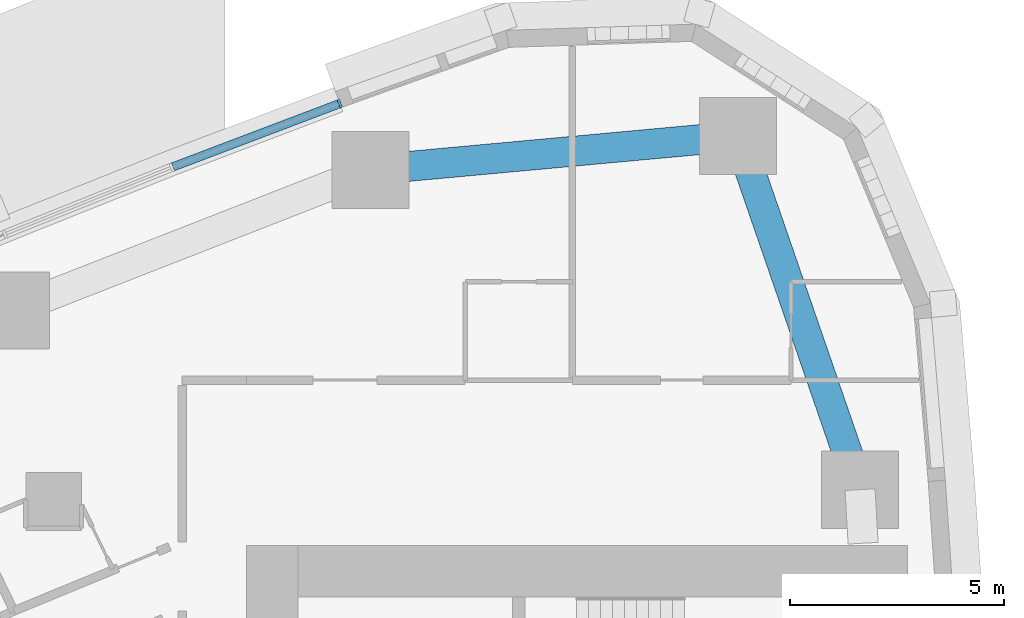
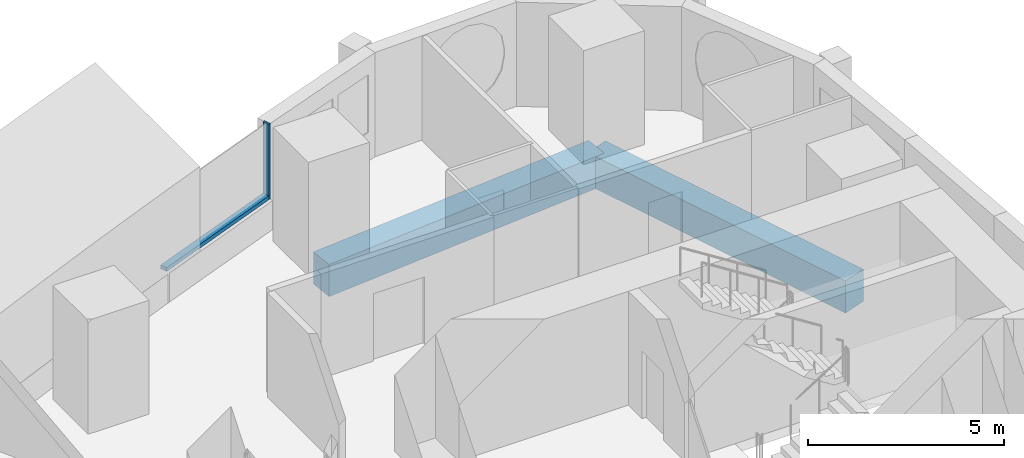
# One storey, part 7 of 19: 2 beams, 2 members, 1 element without a shape of its own.
"""IFC4 building model written with IfcOpenShell, lengths in metres."""

from ifc_helpers import new_model, si_unit, direction, frame, origin, origin_2d, place, context, subcontext, project, spatial, rectangle, extrude, material, layer, layer_set, material_profile, profile_set, type_object, element, aggregate, save


model = new_model("IFC4")

# Units and contexts
model_context = context("Model", 3, precision=1e-05, world=origin(), true_north=direction((0.0, 1.0)))
body_context = subcontext(model_context, "Body", "Model", "MODEL_VIEW")
ifc_project = project(units=[si_unit("LENGTHUNIT", "METRE"), si_unit("AREAUNIT", "SQUARE_METRE"), si_unit("VOLUMEUNIT", "CUBIC_METRE"), si_unit("PLANEANGLEUNIT", "RADIAN"), si_unit("MASSUNIT", "GRAM", prefix="KILO")], contexts=[model_context])

# Site, building, storey
site_placement = place(None, origin())
site = spatial("IfcSite", under=ifc_project, at=site_placement, CompositionType="ELEMENT")
building_placement = place(site_placement, origin())
building = spatial("IfcBuilding", under=site, at=building_placement, Name="Ostrand Prow Hotel Tower", CompositionType="ELEMENT")
storey_placement = place(building_placement, frame((0.0, 0.0, 60.89990234375)))
storey = spatial("IfcBuildingStorey", under=building, at=storey_placement, Name="L13", CompositionType="ELEMENT", Elevation=60.89990234375)

# Beams
ifc_material_1 = material(Name="Concrete C80/95", Category="concrete")
ifc_material_profile_1 = material_profile(ifc_material_1, rectangle(XDim=0.699951171875, YDim=1.0, at=origin_2d()), Name="RC 700x1000")
ifc_profile_set_1 = profile_set([ifc_material_profile_1], Name="Concrete C80/95")
beam_type = type_object("IfcBeamType", Name="Edge beam 700x1000 C80/95", PredefinedType="SPANDREL", material=ifc_profile_set_1)
beam_1_placement = place(storey_placement, frame((63.8134765625, 18.248779296875, -0.7998046875), z_axis=(-0.326263961413, 0.945278703602, 0.0), x_axis=(-0.945278703602, -0.326263961413, 0.0)))
element("IfcBeam", 1, at=beam_1_placement, inside=storey, type_object=beam_type, Name="Edge beam B5-NE", PredefinedType="SPANDREL", context=body_context, shape_type="SweptSolid", body=[
    extrude(rectangle(XDim=0.699951171875, YDim=1.0, at=origin_2d()), origin(), (0.0, 0.0, 1.0), 8.727294921875),
])
beam_2_placement = place(storey_placement, frame((60.966064453125, 26.49853515625, -0.7998046875), z_axis=(-0.995800189514, -0.091553167961, 0.0), x_axis=(0.091553167961, -0.995800189514, 0.0)))
element("IfcBeam", 2, at=beam_2_placement, inside=storey, type_object=beam_type, Name="Edge beam NE-N1", PredefinedType="SPANDREL", context=body_context, shape_type="SweptSolid", body=[
    extrude(rectangle(XDim=0.699951171875, YDim=1.0, at=origin_2d()), origin(), (0.0, 0.0, 1.0), 8.610595703125),
])

# Curtain wall, members
ifc_material_2 = material(Name="Insulated glass in bronze anodised frame", Category="glass")
ifc_layer = layer(ifc_material_2, 0.199951171875)
ifc_layer_set = layer_set([ifc_layer], Name="Insulated glass in bronze anodised frame")
curtain_wall_type = type_object("IfcCurtainWallType", Name="Strip curtain wall, fritted glass over bronze spandrel", PredefinedType="NOTDEFINED", material=ifc_layer_set)
curtain_wall_placement = place(storey_placement, origin())
curtain_wall = element("IfcCurtainWall", 3, at=curtain_wall_placement, inside=storey, type_object=curtain_wall_type, Name="CW1 run CWN1", PredefinedType="NOTDEFINED")
ifc_material_3 = material(Name="Bronze anodised aluminium", Category="aluminium")
ifc_material_profile_2 = material_profile(ifc_material_3, rectangle(XDim=0.199951171875, YDim=0.06005859375, at=origin_2d()), Name="Mullion 60x200 bronze anodised aluminium")
ifc_profile_set_2 = profile_set([ifc_material_profile_2], Name="Bronze anodised aluminium")
member_type_1 = type_object("IfcMemberType", Name="Mullion 60x200 bronze anodised aluminium", PredefinedType="MULLION", material=ifc_profile_set_2)
member_1_placement = place(storey_placement, frame((51.674560546875, 27.2578125, 0.900146484375), z_axis=(0.0, 0.0, 1.0), x_axis=(0.354728407072, -0.934969388384, 0.0)))
member_1 = element("IfcMember", 4, at=member_1_placement, type_object=member_type_1, Name="CW1 mullion 1", PredefinedType="MULLION", context=body_context, shape_type="SweptSolid", body=[
    extrude(rectangle(XDim=0.199951171875, YDim=0.06005859375, at=origin_2d()), origin(), (0.0, 0.0, 1.0), 2.349853515625),
])
ifc_material_4 = material(Name="Bronze anodised aluminium", Category="aluminium")
ifc_material_profile_3 = material_profile(ifc_material_4, rectangle(XDim=0.199951171875, YDim=0.1201171875, at=origin_2d()), Name="Transom 120x200 bronze anodised aluminium")
ifc_profile_set_3 = profile_set([ifc_material_profile_3], Name="Bronze anodised aluminium")
member_type_2 = type_object("IfcMemberType", Name="Transom 120x200 bronze anodised aluminium", PredefinedType="USERDEFINED", material=ifc_profile_set_3)
member_2_placement = place(storey_placement, frame((51.646484375, 27.2470703125, 0.960205078125), z_axis=(-0.93497051437, -0.354725439261, 0.0), x_axis=(0.354725439261, -0.93497051437, 0.0)))
member_2 = element("IfcMember", 5, at=member_2_placement, type_object=member_type_2, Name="CW1 transom 1.1", ObjectType="TRANSOM", PredefinedType="USERDEFINED", context=body_context, shape_type="SweptSolid", body=[
    extrude(rectangle(XDim=0.199951171875, YDim=0.1201171875, at=origin_2d()), origin(), (0.0, 0.0, 1.0), 4.13427734375),
])
aggregate(curtain_wall, [member_1, member_2])

save(model, "model.ifc")
